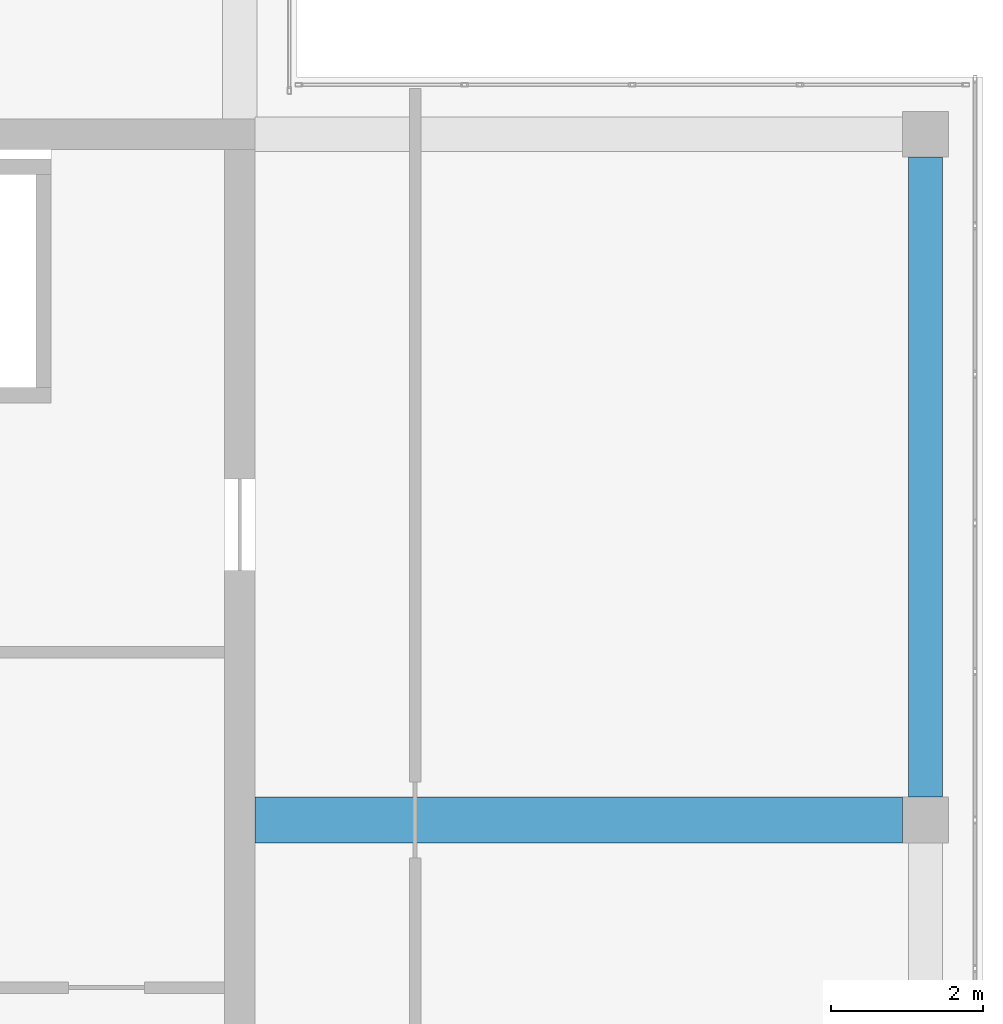
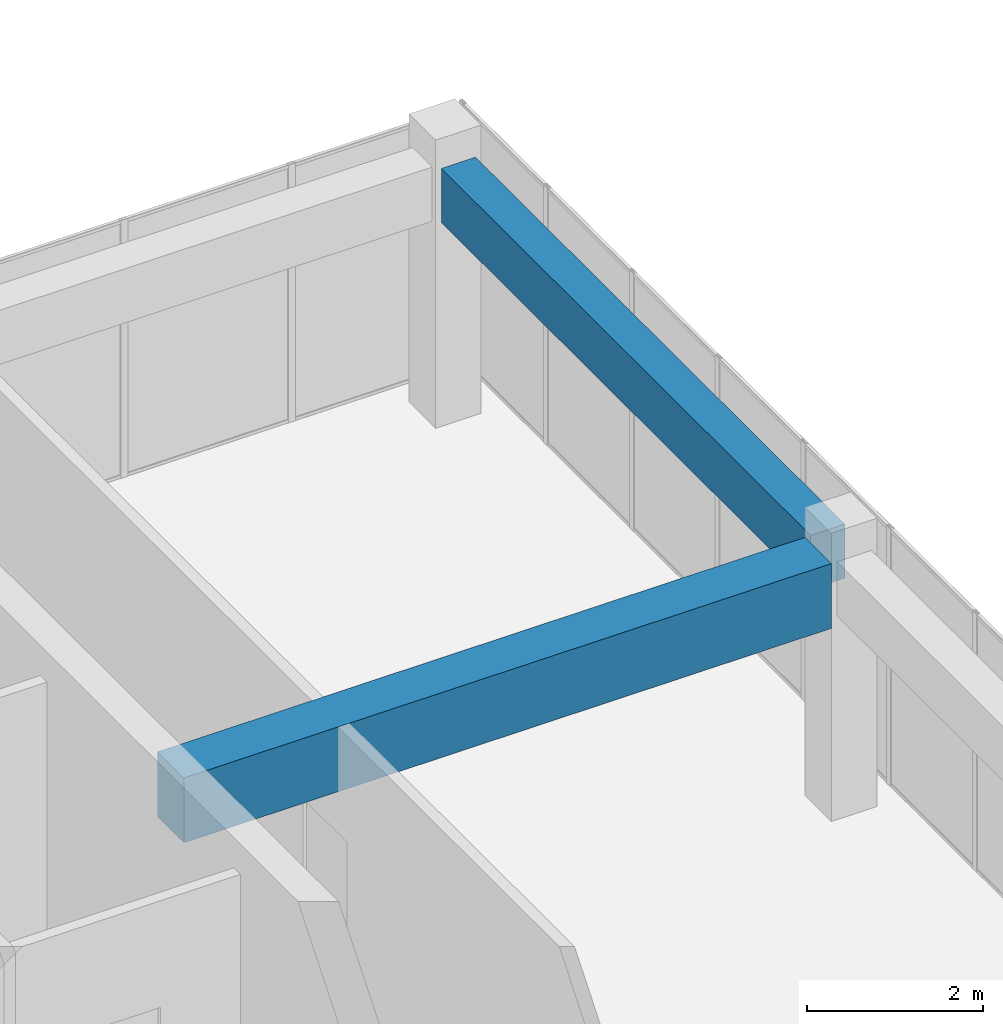
# One storey, part 18 of 35: 2 beams.
"""IFC4 building model written with IfcOpenShell, lengths in metres."""

from ifc_helpers import new_model, si_unit, direction, frame, origin, origin_2d, place, context, subcontext, project, spatial, rectangle, extrude, material, material_profile, profile_set, type_object, element, save


model = new_model("IFC4")

# Units and contexts
model_context = context("Model", 3, precision=1e-05, world=origin(), true_north=direction((0.0, 1.0)))
body_context = subcontext(model_context, "Body", "Model", "MODEL_VIEW")
ifc_project = project(units=[si_unit("LENGTHUNIT", "METRE"), si_unit("AREAUNIT", "SQUARE_METRE"), si_unit("VOLUMEUNIT", "CUBIC_METRE"), si_unit("PLANEANGLEUNIT", "RADIAN"), si_unit("MASSUNIT", "GRAM", prefix="KILO")], contexts=[model_context])

# Site, building, storey
site_placement = place(None, origin())
site = spatial("IfcSite", under=ifc_project, at=site_placement, CompositionType="ELEMENT")
building_placement = place(site_placement, origin())
building = spatial("IfcBuilding", under=site, at=building_placement, Name="Tuart Plaza Theatre", CompositionType="ELEMENT")
storey_placement = place(building_placement, frame((0.0, 0.0, 49.5)))
storey = spatial("IfcBuildingStorey", under=building, at=storey_placement, Name="L12", CompositionType="ELEMENT", Elevation=49.5)

# Beams
ifc_material_1 = material(Name="Concrete N40 (40 MPa)", Category="concrete")
ifc_material_profile_1 = material_profile(ifc_material_1, rectangle(XDim=0.449951171875, YDim=0.75, at=origin_2d()), Name="BEAM 450x750 Concrete N40 (40 MPa)")
ifc_profile_set_1 = profile_set([ifc_material_profile_1], Name="Concrete N40 (40 MPa)")
beam_type_1 = type_object("IfcBeamType", Name="BEAM 450x750 Concrete N40 (40 MPa)", PredefinedType="BEAM", material=ifc_profile_set_1)
beam_1_placement = place(storey_placement, frame((150.0, 74.300048828125, 3.205078125), z_axis=(0.0, 1.0, 0.0), x_axis=(-1.0, 0.0, 0.0)))
element("IfcBeam", 1, at=beam_1_placement, inside=storey, type_object=beam_type_1, Name="RB310", PredefinedType="BEAM", context=body_context, shape_type="SweptSolid", body=[
    extrude(rectangle(XDim=0.449951171875, YDim=0.75, at=origin_2d()), origin(), (0.0, 0.0, 1.0), 8.39990234375),
])
ifc_material_2 = material(Name="Concrete N40 (40 MPa)", Category="concrete")
ifc_material_profile_2 = material_profile(ifc_material_2, rectangle(XDim=0.60009765625, YDim=0.89990234375, at=origin_2d()), Name="BEAM 600x900 Concrete N40 (40 MPa)")
ifc_profile_set_2 = profile_set([ifc_material_profile_2], Name="Concrete N40 (40 MPa)")
beam_type_2 = type_object("IfcBeamType", Name="BEAM 600x900 Concrete N40 (40 MPa)", PredefinedType="BEAM", material=ifc_profile_set_2)
beam_2_placement = place(storey_placement, frame((141.199951171875, 74.0, 3.1298828125), z_axis=(1.0, 0.0, 0.0), x_axis=(0.0, 1.0, 0.0)))
element("IfcBeam", 2, at=beam_2_placement, inside=storey, type_object=beam_type_2, Name="RB307", PredefinedType="BEAM", context=body_context, shape_type="SweptSolid", body=[
    extrude(rectangle(XDim=0.60009765625, YDim=0.89990234375, at=origin_2d()), origin(), (0.0, 0.0, 1.0), 8.5),
])

save(model, "model.ifc")
